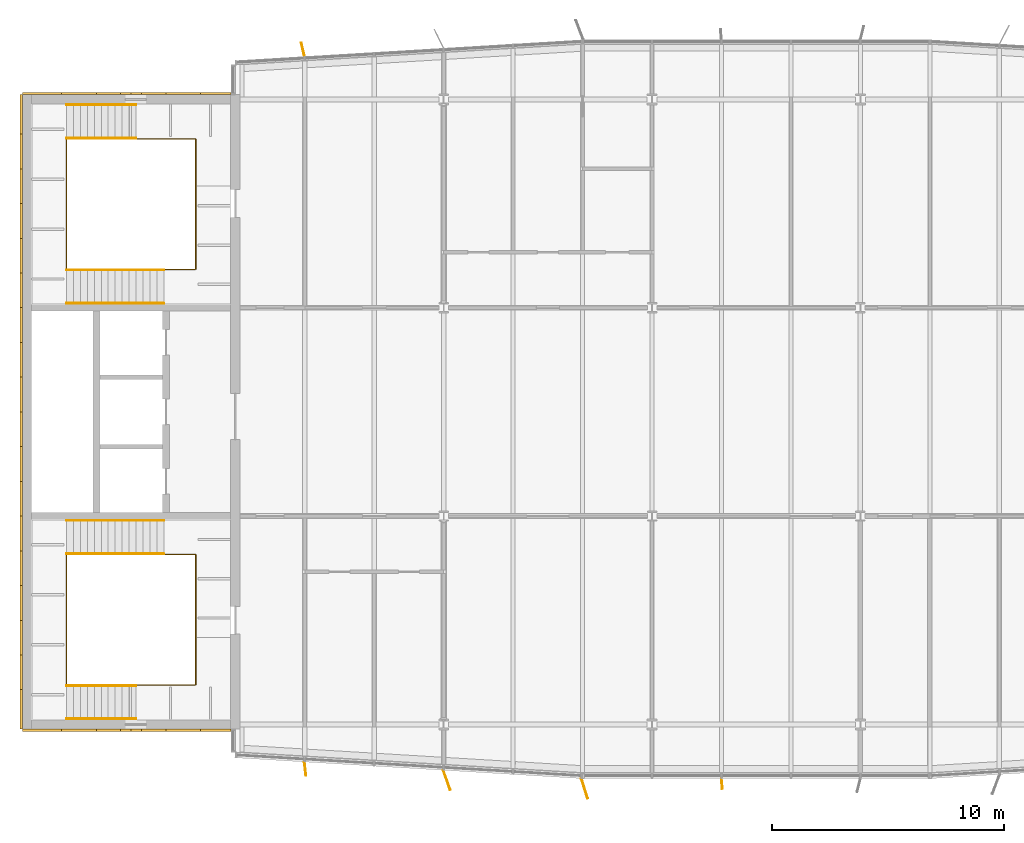
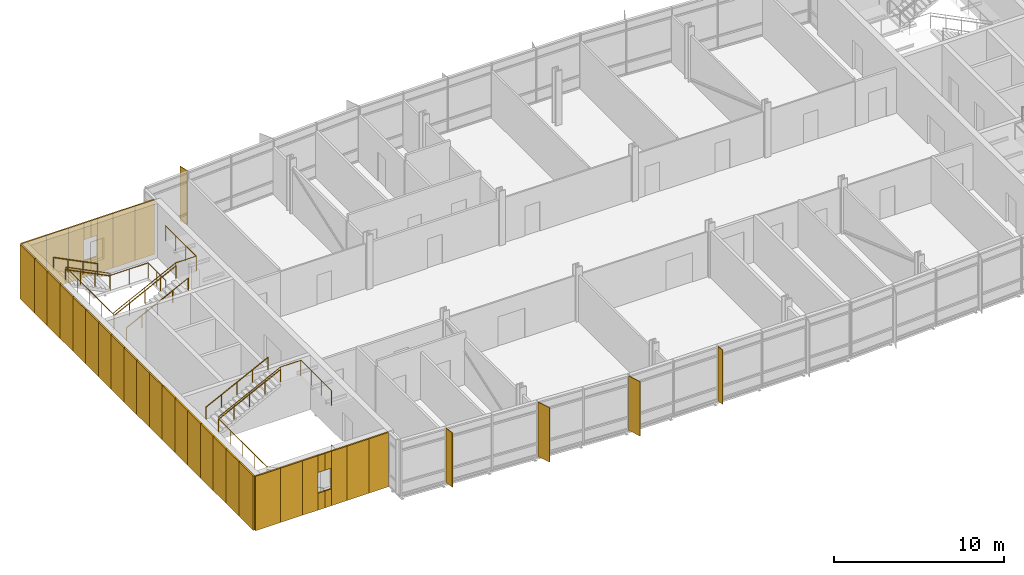
# One storey, part 15 of 17: 38 coverings, 10 railings, 5 shading devices.
"""IFC4 building model written with IfcOpenShell, lengths in metres."""

from ifc_helpers import new_model, si_unit, direction, frame, origin, origin_2d, place, context, subcontext, project, spatial, rectangle, circle, extrude, material, layer, layer_set, type_object, element, save


model = new_model("IFC4")

# Units and contexts
model_context = context("Model", 3, precision=1e-05, world=origin(), true_north=direction((0.0, 1.0)))
body_context = subcontext(model_context, "Body", "Model", "MODEL_VIEW")
ifc_project = project(units=[si_unit("LENGTHUNIT", "METRE"), si_unit("AREAUNIT", "SQUARE_METRE"), si_unit("VOLUMEUNIT", "CUBIC_METRE"), si_unit("PLANEANGLEUNIT", "RADIAN"), si_unit("MASSUNIT", "GRAM", prefix="KILO")], contexts=[model_context])

# Site, building, storey
site_placement = place(None, origin())
site = spatial("IfcSite", under=ifc_project, at=site_placement, CompositionType="ELEMENT")
building_placement = place(site_placement, origin())
building = spatial("IfcBuilding", under=site, at=building_placement, Name="Azimuth Sports and Learning Centre", CompositionType="ELEMENT")
storey_placement = place(building_placement, frame((0.0, 0.0, 40.199951171875)))
storey = spatial("IfcBuildingStorey", under=building, at=storey_placement, Name="L08", CompositionType="ELEMENT", Elevation=40.199951171875)

# Coverings
ifc_material_1 = material(Name="Cladding panel")
ifc_layer_1 = layer(ifc_material_1, 0.10009765625)
ifc_layer_set_1 = layer_set([ifc_layer_1], Name="Cladding panel")
covering_type = type_object("IfcCoveringType", Name="Cladding panel 100", PredefinedType="CLADDING", material=ifc_layer_set_1)
covering_1_placement = place(storey_placement, frame((54.64990234375, 89.75, 0.0), z_axis=(0.0, 0.0, 1.0), x_axis=(1.0, 0.0, 0.0)))
element("IfcCovering", 1, at=covering_1_placement, inside=storey, type_object=covering_type, Name="Cladding panel S-CORE W L08 1", PredefinedType="CLADDING", context=body_context, shape_type="SweptSolid", body=[
    extrude(rectangle(XDim=1.699951171875, YDim=0.10009765625, at=origin_2d()), origin(), (0.0, 0.0, 1.0), 3.89990234375),
])
covering_2_placement = place(storey_placement, frame((56.25, 89.75, 0.0), z_axis=(0.0, 0.0, 1.0), x_axis=(1.0, 0.0, 0.0)))
element("IfcCovering", 2, at=covering_2_placement, inside=storey, type_object=covering_type, Name="Cladding panel S-CORE W L08 2", PredefinedType="CLADDING", context=body_context, shape_type="SweptSolid", body=[
    extrude(rectangle(XDim=1.5, YDim=0.10009765625, at=origin_2d()), origin(), (0.0, 0.0, 1.0), 3.89990234375),
])
covering_3_placement = place(storey_placement, frame((57.52490234375, 89.75, 0.0), z_axis=(0.0, 0.0, 1.0), x_axis=(1.0, 0.0, 0.0)))
element("IfcCovering", 3, at=covering_3_placement, inside=storey, type_object=covering_type, Name="Cladding panel S-CORE W L08 3", PredefinedType="CLADDING", context=body_context, shape_type="SweptSolid", body=[
    extrude(rectangle(XDim=1.050048828125, YDim=0.10009765625, at=origin_2d()), origin(), (0.0, 0.0, 1.0), 3.89990234375),
])
for number, where, z_axis, x_axis, name in (
    (4, (58.27490234375, 89.75, 0.0), (0.0, 0.0, 1.0), (1.0, 0.0, 0.0), "Cladding panel S-CORE W L08 4"),
    (5, (58.27490234375, 89.75, 2.7001953125), (0.0, 0.0, 1.0), (1.0, 0.0, 0.0), "Cladding panel S-CORE W L08 5"),
):
    element("IfcCovering", number, at=place(storey_placement, frame(where, z_axis=z_axis, x_axis=x_axis)), inside=storey, type_object=covering_type, Name=name, PredefinedType="CLADDING", context=body_context, shape_type="SweptSolid", body=[
        extrude(rectangle(XDim=0.449951171875, YDim=0.10009765625, at=origin_2d()), origin(), (0.0, 0.0, 1.0), 1.199951171875),
    ])
covering_4_placement = place(storey_placement, frame((59.47509765625, 89.75, 0.0), z_axis=(0.0, 0.0, 1.0), x_axis=(1.0, 0.0, 0.0)))
element("IfcCovering", 6, at=covering_4_placement, inside=storey, type_object=covering_type, Name="Cladding panel S-CORE W L08 6", PredefinedType="CLADDING", context=body_context, shape_type="SweptSolid", body=[
    extrude(rectangle(XDim=1.050048828125, YDim=0.10009765625, at=origin_2d()), origin(), (0.0, 0.0, 1.0), 3.89990234375),
])
for number, where, z_axis, x_axis, name in (
    (7, (58.72509765625, 89.75, 0.0), (0.0, 0.0, 1.0), (1.0, 0.0, 0.0), "Cladding panel S-CORE W L08 7"),
    (8, (58.72509765625, 89.75, 2.7001953125), (0.0, 0.0, 1.0), (1.0, 0.0, 0.0), "Cladding panel S-CORE W L08 8"),
):
    element("IfcCovering", number, at=place(storey_placement, frame(where, z_axis=z_axis, x_axis=x_axis)), inside=storey, type_object=covering_type, Name=name, PredefinedType="CLADDING", context=body_context, shape_type="SweptSolid", body=[
        extrude(rectangle(XDim=0.449951171875, YDim=0.10009765625, at=origin_2d()), origin(), (0.0, 0.0, 1.0), 1.199951171875),
    ])
covering_5_placement = place(storey_placement, frame((60.75, 89.75, 0.0), z_axis=(0.0, 0.0, 1.0), x_axis=(1.0, 0.0, 0.0)))
element("IfcCovering", 9, at=covering_5_placement, inside=storey, type_object=covering_type, Name="Cladding panel S-CORE W L08 9", PredefinedType="CLADDING", context=body_context, shape_type="SweptSolid", body=[
    extrude(rectangle(XDim=1.5, YDim=0.10009765625, at=origin_2d()), origin(), (0.0, 0.0, 1.0), 3.89990234375),
])
for number, where, z_axis, x_axis, name in (
    (10, (62.159912109375, 89.75, 0.0), (0.0, 0.0, 1.0), (1.0, 0.0, 0.0), "Cladding panel S-CORE W L08 10"),
    (11, (62.159912109375, 117.25, 0.0), (0.0, 0.0, 1.0), (-1.0, 0.0, 0.0), "Cladding panel N-CORE W L08 1"),
):
    element("IfcCovering", number, at=place(storey_placement, frame(where, z_axis=z_axis, x_axis=x_axis)), inside=storey, type_object=covering_type, Name=name, PredefinedType="CLADDING", context=body_context, shape_type="SweptSolid", body=[
        extrude(rectangle(XDim=1.320068359375, YDim=0.10009765625, at=origin_2d()), origin(), (0.0, 0.0, 1.0), 3.89990234375),
    ])
covering_6_placement = place(storey_placement, frame((60.75, 117.25, 0.0), z_axis=(0.0, 0.0, 1.0), x_axis=(-1.0, 0.0, 0.0)))
element("IfcCovering", 12, at=covering_6_placement, inside=storey, type_object=covering_type, Name="Cladding panel N-CORE W L08 2", PredefinedType="CLADDING", context=body_context, shape_type="SweptSolid", body=[
    extrude(rectangle(XDim=1.5, YDim=0.10009765625, at=origin_2d()), origin(), (0.0, 0.0, 1.0), 3.89990234375),
])
covering_7_placement = place(storey_placement, frame((59.47509765625, 117.25, 0.0), z_axis=(0.0, 0.0, 1.0), x_axis=(-1.0, 0.0, 0.0)))
element("IfcCovering", 13, at=covering_7_placement, inside=storey, type_object=covering_type, Name="Cladding panel N-CORE W L08 3", PredefinedType="CLADDING", context=body_context, shape_type="SweptSolid", body=[
    extrude(rectangle(XDim=1.050048828125, YDim=0.10009765625, at=origin_2d()), origin(), (0.0, 0.0, 1.0), 3.89990234375),
])
for number, where, z_axis, x_axis, name in (
    (14, (58.72509765625, 117.25, 0.0), (0.0, 0.0, 1.0), (-1.0, 0.0, 0.0), "Cladding panel N-CORE W L08 4"),
    (15, (58.72509765625, 117.25, 2.7001953125), (0.0, 0.0, 1.0), (-1.0, 0.0, 0.0), "Cladding panel N-CORE W L08 5"),
):
    element("IfcCovering", number, at=place(storey_placement, frame(where, z_axis=z_axis, x_axis=x_axis)), inside=storey, type_object=covering_type, Name=name, PredefinedType="CLADDING", context=body_context, shape_type="SweptSolid", body=[
        extrude(rectangle(XDim=0.449951171875, YDim=0.10009765625, at=origin_2d()), origin(), (0.0, 0.0, 1.0), 1.199951171875),
    ])
covering_8_placement = place(storey_placement, frame((57.52490234375, 117.25, 0.0), z_axis=(0.0, 0.0, 1.0), x_axis=(-1.0, 0.0, 0.0)))
element("IfcCovering", 16, at=covering_8_placement, inside=storey, type_object=covering_type, Name="Cladding panel N-CORE W L08 6", PredefinedType="CLADDING", context=body_context, shape_type="SweptSolid", body=[
    extrude(rectangle(XDim=1.050048828125, YDim=0.10009765625, at=origin_2d()), origin(), (0.0, 0.0, 1.0), 3.89990234375),
])
for number, where, z_axis, x_axis, name in (
    (17, (58.27490234375, 117.25, 0.0), (0.0, 0.0, 1.0), (-1.0, 0.0, 0.0), "Cladding panel N-CORE W L08 7"),
    (18, (58.27490234375, 117.25, 2.7001953125), (0.0, 0.0, 1.0), (-1.0, 0.0, 0.0), "Cladding panel N-CORE W L08 8"),
):
    element("IfcCovering", number, at=place(storey_placement, frame(where, z_axis=z_axis, x_axis=x_axis)), inside=storey, type_object=covering_type, Name=name, PredefinedType="CLADDING", context=body_context, shape_type="SweptSolid", body=[
        extrude(rectangle(XDim=0.449951171875, YDim=0.10009765625, at=origin_2d()), origin(), (0.0, 0.0, 1.0), 1.199951171875),
    ])
covering_9_placement = place(storey_placement, frame((56.25, 117.25, 0.0), z_axis=(0.0, 0.0, 1.0), x_axis=(-1.0, 0.0, 0.0)))
element("IfcCovering", 19, at=covering_9_placement, inside=storey, type_object=covering_type, Name="Cladding panel N-CORE W L08 9", PredefinedType="CLADDING", context=body_context, shape_type="SweptSolid", body=[
    extrude(rectangle(XDim=1.5, YDim=0.10009765625, at=origin_2d()), origin(), (0.0, 0.0, 1.0), 3.89990234375),
])
for number, where, z_axis, x_axis, name in (
    (20, (54.64990234375, 117.25, 0.0), (0.0, 0.0, 1.0), (-1.0, 0.0, 0.0), "Cladding panel N-CORE W L08 10"),
    (21, (53.75, 116.35009765625, 0.0), (0.0, 0.0, 1.0), (0.0, -1.0, 0.0), "Cladding panel W-CORE W L08 1"),
):
    element("IfcCovering", number, at=place(storey_placement, frame(where, z_axis=z_axis, x_axis=x_axis)), inside=storey, type_object=covering_type, Name=name, PredefinedType="CLADDING", context=body_context, shape_type="SweptSolid", body=[
        extrude(rectangle(XDim=1.699951171875, YDim=0.10009765625, at=origin_2d()), origin(), (0.0, 0.0, 1.0), 3.89990234375),
    ])
for number, where, z_axis, x_axis, name in (
    (22, (53.75, 114.75, 0.0), (0.0, 0.0, 1.0), (0.0, -1.0, 0.0), "Cladding panel W-CORE W L08 2"),
    (23, (53.75, 113.25, 0.0), (0.0, 0.0, 1.0), (0.0, -1.0, 0.0), "Cladding panel W-CORE W L08 3"),
    (24, (53.75, 111.75, 0.0), (0.0, 0.0, 1.0), (0.0, -1.0, 0.0), "Cladding panel W-CORE W L08 4"),
    (25, (53.75, 110.25, 0.0), (0.0, 0.0, 1.0), (0.0, -1.0, 0.0), "Cladding panel W-CORE W L08 5"),
    (26, (53.75, 108.75, 0.0), (0.0, 0.0, 1.0), (0.0, -1.0, 0.0), "Cladding panel W-CORE W L08 6"),
    (27, (53.75, 107.25, 0.0), (0.0, 0.0, 1.0), (0.0, -1.0, 0.0), "Cladding panel W-CORE W L08 7"),
    (28, (53.75, 105.75, 0.0), (0.0, 0.0, 1.0), (0.0, -1.0, 0.0), "Cladding panel W-CORE W L08 8"),
    (29, (53.75, 104.25, 0.0), (0.0, 0.0, 1.0), (0.0, -1.0, 0.0), "Cladding panel W-CORE W L08 9"),
    (30, (53.75, 102.75, 0.0), (0.0, 0.0, 1.0), (0.0, -1.0, 0.0), "Cladding panel W-CORE W L08 10"),
    (31, (53.75, 101.25, 0.0), (0.0, 0.0, 1.0), (0.0, -1.0, 0.0), "Cladding panel W-CORE W L08 11"),
    (32, (53.75, 99.75, 0.0), (0.0, 0.0, 1.0), (0.0, -1.0, 0.0), "Cladding panel W-CORE W L08 12"),
    (33, (53.75, 98.25, 0.0), (0.0, 0.0, 1.0), (0.0, -1.0, 0.0), "Cladding panel W-CORE W L08 13"),
    (34, (53.75, 96.75, 0.0), (0.0, 0.0, 1.0), (0.0, -1.0, 0.0), "Cladding panel W-CORE W L08 14"),
    (35, (53.75, 95.25, 0.0), (0.0, 0.0, 1.0), (0.0, -1.0, 0.0), "Cladding panel W-CORE W L08 15"),
    (36, (53.75, 93.75, 0.0), (0.0, 0.0, 1.0), (0.0, -1.0, 0.0), "Cladding panel W-CORE W L08 16"),
    (37, (53.75, 92.25, 0.0), (0.0, 0.0, 1.0), (0.0, -1.0, 0.0), "Cladding panel W-CORE W L08 17"),
):
    element("IfcCovering", number, at=place(storey_placement, frame(where, z_axis=z_axis, x_axis=x_axis)), inside=storey, type_object=covering_type, Name=name, PredefinedType="CLADDING", context=body_context, shape_type="SweptSolid", body=[
        extrude(rectangle(XDim=1.5, YDim=0.10009765625, at=origin_2d()), origin(), (0.0, 0.0, 1.0), 3.89990234375),
    ])
covering_10_placement = place(storey_placement, frame((53.75, 90.64990234375, 0.0), z_axis=(0.0, 0.0, 1.0), x_axis=(0.0, -1.0, 0.0)))
element("IfcCovering", 38, at=covering_10_placement, inside=storey, type_object=covering_type, Name="Cladding panel W-CORE W L08 18", PredefinedType="CLADDING", context=body_context, shape_type="SweptSolid", body=[
    extrude(rectangle(XDim=1.699951171875, YDim=0.10009765625, at=origin_2d()), origin(), (0.0, 0.0, 1.0), 3.89990234375),
])

# Shading devices
ifc_material_2 = material(Name="Aluminium", Category="aluminium")
ifc_layer_2 = layer(ifc_material_2, 0.0400390625)
ifc_layer_set_2 = layer_set([ifc_layer_2], Name="Aluminium")
shading_device_type_1 = type_object("IfcShadingDeviceType", Name="Shading fin 450", PredefinedType="JALOUSIE", material=ifc_layer_set_2)
shading_device_placement = place(storey_placement, frame((84.01953125, 87.435791015625, 0.0), z_axis=(0.0, 0.0, 1.0), x_axis=(0.086979796274, -0.996210075757, 0.0)))
element("IfcShadingDevice", 39, at=shading_device_placement, inside=storey, type_object=shading_device_type_1, Name="Shading fin F08-004", PredefinedType="JALOUSIE", context=body_context, shape_type="SweptSolid", body=[
    extrude(rectangle(XDim=0.449951171875, YDim=0.0400390625, at=origin_2d()), origin(), (0.0, 0.0, 1.0), 3.89990234375),
])
ifc_material_3 = material(Name="Aluminium", Category="aluminium")
ifc_layer_3 = layer(ifc_material_3, 0.0400390625)
ifc_layer_set_3 = layer_set([ifc_layer_3], Name="Aluminium")
shading_device_type_2 = type_object("IfcShadingDeviceType", Name="Shading fin 600", PredefinedType="JALOUSIE", material=ifc_layer_set_3)
for number, where, z_axis, x_axis, name in (
    (40, (66.018798828125, 88.082275390625, 0.0), (0.0, 0.0, 1.0), (0.110221187796, -0.993907083062, 0.0), "Shading fin F08-001"),
    (41, (65.920654296875, 119.15185546875, 0.0), (0.0, 0.0, 1.0), (-0.228270881104, 0.973597660659, 0.0), "Shading fin F08-014"),
):
    element("IfcShadingDevice", number, at=place(storey_placement, frame(where, z_axis=z_axis, x_axis=x_axis)), inside=storey, type_object=shading_device_type_2, Name=name, PredefinedType="JALOUSIE", context=body_context, shape_type="SweptSolid", body=[
        extrude(rectangle(XDim=0.60009765625, YDim=0.0400390625, at=origin_2d()), origin(), (0.0, 0.0, 1.0), 3.89990234375),
    ])
ifc_material_4 = material(Name="Aluminium", Category="aluminium")
ifc_layer_4 = layer(ifc_material_4, 0.0400390625)
ifc_layer_set_4 = layer_set([ifc_layer_4], Name="Aluminium")
shading_device_type_3 = type_object("IfcShadingDeviceType", Name="Shading fin 900", PredefinedType="JALOUSIE", material=ifc_layer_set_4)
for number, where, z_axis, x_axis, name in (
    (42, (72.135009765625, 87.595947265625, 0.0), (0.0, 0.0, 1.0), (0.332025201964, -0.94327051542, 0.0), "Shading fin F08-002"),
    (43, (78.0849609375, 87.23291015625, 0.0), (0.0, 0.0, 1.0), (0.298224547315, -0.954495740891, 0.0), "Shading fin F08-003"),
):
    element("IfcShadingDevice", number, at=place(storey_placement, frame(where, z_axis=z_axis, x_axis=x_axis)), inside=storey, type_object=shading_device_type_3, Name=name, PredefinedType="JALOUSIE", context=body_context, shape_type="SweptSolid", body=[
        extrude(rectangle(XDim=0.89990234375, YDim=0.0400390625, at=origin_2d()), origin(), (0.0, 0.0, 1.0), 3.89990234375),
    ])

# Railings
ifc_material_5 = material(Name="Stainless steel", Category="steel")
railing_type_1 = type_object("IfcRailingType", Name="Stair guard 1100", PredefinedType="GUARDRAIL", material=ifc_material_5)
railing_1_placement = place(storey_placement, frame((61.2900390625, 93.75, 0.0)))
element("IfcRailing", 44, at=railing_1_placement, inside=storey, type_object=railing_type_1, Name="Guard W1 L08 well", PredefinedType="GUARDRAIL", context=body_context, shape_type="SweptSolid", body=[
    extrude(circle(Radius=0.02392578125, at=origin_2d()), frame((0.0, 0.0, 1.076171875), z_axis=(0.0, -1.0, 0.0), x_axis=(1.0, 0.0, 0.0)), (0.0, 0.0, 1.0), 2.0400390625),
    extrude(circle(Radius=0.02392578125, at=origin_2d()), frame((0.0, -2.0400390625, 1.076171875), z_axis=(-1.0, 0.0, 0.0), x_axis=(0.0, -1.0, 0.0)), (0.0, 0.0, 1.0), 2.580078125),
    extrude(circle(Radius=0.02392578125, at=origin_2d()), frame((-2.580078125, -2.0400390625, 1.076171875), z_axis=(0.0, 0.0, 1.0), x_axis=(1.0, 0.0, 0.0)), (0.0, 0.0, 1.0), 0.150146484375),
    extrude(circle(Radius=0.02392578125, at=origin_2d()), frame((-2.580078125, -2.0400390625, 1.22607421875), z_axis=(-0.894427191, 0.0, 0.4472135955), x_axis=(0.0, -1.0, 0.0)), (0.0, 0.0, 1.0), 3.35400390625),
    extrude(circle(Radius=0.02392578125, at=origin_2d()), frame((-5.580078125, -2.0400390625, 2.72607421875), z_axis=(0.0, 1.0, 0.0), x_axis=(-1.0, 0.0, 0.0)), (0.0, 0.0, 1.0), 5.630126953125),
    extrude(circle(Radius=0.02392578125, at=origin_2d()), frame((-5.580078125, 3.590087890625, 2.72607421875), z_axis=(0.0, 0.0, 1.0), x_axis=(1.0, 0.0, 0.0)), (0.0, 0.0, 1.0), 0.14990234375),
    extrude(circle(Radius=0.02392578125, at=origin_2d()), frame((-5.580078125, 3.590087890625, 2.8759765625), z_axis=(0.894416792377, 0.0, 0.447234392142), x_axis=(0.0, 1.0, 0.0)), (0.0, 0.0, 1.0), 4.69580078125),
    extrude(circle(Radius=0.02392578125, at=origin_2d()), frame((-1.380126953125, 3.590087890625, 4.97607421875), z_axis=(1.0, 0.0, 0.0), x_axis=(0.0, 1.0, 0.0)), (0.0, 0.0, 1.0), 1.380126953125),
    extrude(circle(Radius=0.02392578125, at=origin_2d()), frame((0.0, 3.590087890625, 4.97607421875), z_axis=(0.0, -1.0, 0.0), x_axis=(1.0, 0.0, 0.0)), (0.0, 0.0, 1.0), 3.590087890625),
    extrude(circle(Radius=0.01611328125, at=origin_2d()), origin(), (0.0, 0.0, 1.0), 1.052001953125),
    extrude(circle(Radius=0.01611328125, at=origin_2d()), frame((0.0, -1.02001953125, 0.0)), (0.0, 0.0, 1.0), 1.052001953125),
    extrude(circle(Radius=0.01611328125, at=origin_2d()), frame((0.0, -2.0400390625, 0.0)), (0.0, 0.0, 1.0), 1.052001953125),
    extrude(circle(Radius=0.01611328125, at=origin_2d()), frame((-1.2900390625, -2.0400390625, 0.0)), (0.0, 0.0, 1.0), 1.052001953125),
    extrude(circle(Radius=0.01611328125, at=origin_2d()), frame((-2.580078125, -2.0400390625, 0.0)), (0.0, 0.0, 1.0), 1.052001953125),
    extrude(circle(Radius=0.01611328125, at=origin_2d()), frame((-2.580078125, -2.0400390625, 0.150146484375)), (0.0, 0.0, 1.0), 1.052001953125),
    extrude(circle(Radius=0.01611328125, at=origin_2d()), frame((-3.580078125, -2.0400390625, 0.650146484375)), (0.0, 0.0, 1.0), 1.052001953125),
    extrude(circle(Radius=0.01611328125, at=origin_2d()), frame((-4.580078125, -2.0400390625, 1.150146484375)), (0.0, 0.0, 1.0), 1.052001953125),
    extrude(circle(Radius=0.01611328125, at=origin_2d()), frame((-5.580078125, -2.0400390625, 1.650146484375)), (0.0, 0.0, 1.0), 1.052001953125),
    extrude(circle(Radius=0.01611328125, at=origin_2d()), frame((-5.580078125, -0.632568359375, 1.650146484375)), (0.0, 0.0, 1.0), 1.052001953125),
    extrude(circle(Radius=0.01611328125, at=origin_2d()), frame((-5.580078125, 0.77490234375, 1.650146484375)), (0.0, 0.0, 1.0), 1.052001953125),
    extrude(circle(Radius=0.01611328125, at=origin_2d()), frame((-5.580078125, 2.1826171875, 1.650146484375)), (0.0, 0.0, 1.0), 1.052001953125),
    extrude(circle(Radius=0.01611328125, at=origin_2d()), frame((-5.580078125, 3.590087890625, 1.650146484375)), (0.0, 0.0, 1.0), 1.052001953125),
    extrude(circle(Radius=0.01611328125, at=origin_2d()), frame((-5.580078125, 3.590087890625, 1.800048828125)), (0.0, 0.0, 1.0), 1.052001953125),
    extrude(circle(Radius=0.01611328125, at=origin_2d()), frame((-4.530029296875, 3.590087890625, 2.3251953125)), (0.0, 0.0, 1.0), 1.052001953125),
    extrude(circle(Radius=0.01611328125, at=origin_2d()), frame((-3.47998046875, 3.590087890625, 2.85009765625)), (0.0, 0.0, 1.0), 1.052001953125),
    extrude(circle(Radius=0.01611328125, at=origin_2d()), frame((-2.43017578125, 3.590087890625, 3.375)), (0.0, 0.0, 1.0), 1.052001953125),
    extrude(circle(Radius=0.01611328125, at=origin_2d()), frame((-1.380126953125, 3.590087890625, 3.900146484375)), (0.0, 0.0, 1.0), 1.052001953125),
    extrude(circle(Radius=0.01611328125, at=origin_2d()), frame((0.0, 3.590087890625, 3.900146484375)), (0.0, 0.0, 1.0), 1.052001953125),
    extrude(circle(Radius=0.01611328125, at=origin_2d()), frame((0.0, 2.393310546875, 3.900146484375)), (0.0, 0.0, 1.0), 1.052001953125),
    extrude(circle(Radius=0.01611328125, at=origin_2d()), frame((0.0, 1.19677734375, 3.900146484375)), (0.0, 0.0, 1.0), 1.052001953125),
    extrude(circle(Radius=0.01611328125, at=origin_2d()), frame((0.0, 0.0, 3.900146484375)), (0.0, 0.0, 1.0), 1.052001953125),
])
railing_2_placement = place(storey_placement, frame((61.2900390625, 113.25, 0.0)))
element("IfcRailing", 45, at=railing_2_placement, inside=storey, type_object=railing_type_1, Name="Guard W2 L08 well", PredefinedType="GUARDRAIL", context=body_context, shape_type="SweptSolid", body=[
    extrude(circle(Radius=0.02392578125, at=origin_2d()), frame((0.0, 0.0, 1.076171875), z_axis=(0.0, 1.0, 0.0), x_axis=(-1.0, 0.0, 0.0)), (0.0, 0.0, 1.0), 2.0400390625),
    extrude(circle(Radius=0.02392578125, at=origin_2d()), frame((0.0, 2.0400390625, 1.076171875), z_axis=(-1.0, 0.0, 0.0), x_axis=(0.0, -1.0, 0.0)), (0.0, 0.0, 1.0), 2.580078125),
    extrude(circle(Radius=0.02392578125, at=origin_2d()), frame((-2.580078125, 2.0400390625, 1.076171875), z_axis=(0.0, 0.0, 1.0), x_axis=(1.0, 0.0, 0.0)), (0.0, 0.0, 1.0), 0.150146484375),
    extrude(circle(Radius=0.02392578125, at=origin_2d()), frame((-2.580078125, 2.0400390625, 1.22607421875), z_axis=(-0.894427191, 0.0, 0.4472135955), x_axis=(0.0, -1.0, 0.0)), (0.0, 0.0, 1.0), 3.35400390625),
    extrude(circle(Radius=0.02392578125, at=origin_2d()), frame((-5.580078125, 2.0400390625, 2.72607421875), z_axis=(0.0, -1.0, 0.0), x_axis=(1.0, 0.0, 0.0)), (0.0, 0.0, 1.0), 5.630126953125),
    extrude(circle(Radius=0.02392578125, at=origin_2d()), frame((-5.580078125, -3.590087890625, 2.72607421875), z_axis=(0.0, 0.0, 1.0), x_axis=(1.0, 0.0, 0.0)), (0.0, 0.0, 1.0), 0.14990234375),
    extrude(circle(Radius=0.02392578125, at=origin_2d()), frame((-5.580078125, -3.590087890625, 2.8759765625), z_axis=(0.894416792377, 0.0, 0.447234392142), x_axis=(0.0, 1.0, 0.0)), (0.0, 0.0, 1.0), 4.69580078125),
    extrude(circle(Radius=0.02392578125, at=origin_2d()), frame((-1.380126953125, -3.590087890625, 4.97607421875), z_axis=(1.0, 0.0, 0.0), x_axis=(0.0, 1.0, 0.0)), (0.0, 0.0, 1.0), 1.380126953125),
    extrude(circle(Radius=0.02392578125, at=origin_2d()), frame((0.0, -3.590087890625, 4.97607421875), z_axis=(0.0, 1.0, 0.0), x_axis=(-1.0, 0.0, 0.0)), (0.0, 0.0, 1.0), 3.590087890625),
    extrude(circle(Radius=0.01611328125, at=origin_2d()), origin(), (0.0, 0.0, 1.0), 1.052001953125),
    extrude(circle(Radius=0.01611328125, at=origin_2d()), frame((0.0, 1.02001953125, 0.0)), (0.0, 0.0, 1.0), 1.052001953125),
    extrude(circle(Radius=0.01611328125, at=origin_2d()), frame((0.0, 2.0400390625, 0.0)), (0.0, 0.0, 1.0), 1.052001953125),
    extrude(circle(Radius=0.01611328125, at=origin_2d()), frame((-1.2900390625, 2.0400390625, 0.0)), (0.0, 0.0, 1.0), 1.052001953125),
    extrude(circle(Radius=0.01611328125, at=origin_2d()), frame((-2.580078125, 2.0400390625, 0.0)), (0.0, 0.0, 1.0), 1.052001953125),
    extrude(circle(Radius=0.01611328125, at=origin_2d()), frame((-2.580078125, 2.0400390625, 0.150146484375)), (0.0, 0.0, 1.0), 1.052001953125),
    extrude(circle(Radius=0.01611328125, at=origin_2d()), frame((-3.580078125, 2.0400390625, 0.650146484375)), (0.0, 0.0, 1.0), 1.052001953125),
    extrude(circle(Radius=0.01611328125, at=origin_2d()), frame((-4.580078125, 2.0400390625, 1.150146484375)), (0.0, 0.0, 1.0), 1.052001953125),
    extrude(circle(Radius=0.01611328125, at=origin_2d()), frame((-5.580078125, 2.0400390625, 1.650146484375)), (0.0, 0.0, 1.0), 1.052001953125),
    extrude(circle(Radius=0.01611328125, at=origin_2d()), frame((-5.580078125, 0.632568359375, 1.650146484375)), (0.0, 0.0, 1.0), 1.052001953125),
    extrude(circle(Radius=0.01611328125, at=origin_2d()), frame((-5.580078125, -0.77490234375, 1.650146484375)), (0.0, 0.0, 1.0), 1.052001953125),
    extrude(circle(Radius=0.01611328125, at=origin_2d()), frame((-5.580078125, -2.1826171875, 1.650146484375)), (0.0, 0.0, 1.0), 1.052001953125),
    extrude(circle(Radius=0.01611328125, at=origin_2d()), frame((-5.580078125, -3.590087890625, 1.650146484375)), (0.0, 0.0, 1.0), 1.052001953125),
    extrude(circle(Radius=0.01611328125, at=origin_2d()), frame((-5.580078125, -3.590087890625, 1.800048828125)), (0.0, 0.0, 1.0), 1.052001953125),
    extrude(circle(Radius=0.01611328125, at=origin_2d()), frame((-4.530029296875, -3.590087890625, 2.3251953125)), (0.0, 0.0, 1.0), 1.052001953125),
    extrude(circle(Radius=0.01611328125, at=origin_2d()), frame((-3.47998046875, -3.590087890625, 2.85009765625)), (0.0, 0.0, 1.0), 1.052001953125),
    extrude(circle(Radius=0.01611328125, at=origin_2d()), frame((-2.43017578125, -3.590087890625, 3.375)), (0.0, 0.0, 1.0), 1.052001953125),
    extrude(circle(Radius=0.01611328125, at=origin_2d()), frame((-1.380126953125, -3.590087890625, 3.900146484375)), (0.0, 0.0, 1.0), 1.052001953125),
    extrude(circle(Radius=0.01611328125, at=origin_2d()), frame((0.0, -3.590087890625, 3.900146484375)), (0.0, 0.0, 1.0), 1.052001953125),
    extrude(circle(Radius=0.01611328125, at=origin_2d()), frame((0.0, -2.393310546875, 3.900146484375)), (0.0, 0.0, 1.0), 1.052001953125),
    extrude(circle(Radius=0.01611328125, at=origin_2d()), frame((0.0, -1.19677734375, 3.900146484375)), (0.0, 0.0, 1.0), 1.052001953125),
    extrude(circle(Radius=0.01611328125, at=origin_2d()), frame((0.0, 0.0, 3.900146484375)), (0.0, 0.0, 1.0), 1.052001953125),
])
ifc_material_6 = material(Name="Stainless steel", Category="steel")
railing_type_2 = type_object("IfcRailingType", Name="Stair handrail 42", PredefinedType="HANDRAIL", material=ifc_material_6)
for number, where, name in (
    (46, (58.7099609375, 91.679931640625, 0.150146484375), "Handrail W1 L08 flight 1 inner"),
    (47, (58.7099609375, 90.239990234375, 0.150146484375), "Handrail W1 L08 flight 1 outer"),
):
    element("IfcRailing", number, at=place(storey_placement, frame(where)), inside=storey, type_object=railing_type_2, Name=name, PredefinedType="HANDRAIL", context=body_context, shape_type="SweptSolid", body=[
        extrude(circle(Radius=0.02099609375, at=origin_2d()), frame((0.0, 0.0, 0.87890625), z_axis=(-0.894427191, 0.0, 0.4472135955), x_axis=(0.0, -1.0, 0.0)), (0.0, 0.0, 1.0), 3.35400390625),
        extrude(circle(Radius=0.01611328125, at=origin_2d()), origin(), (0.0, 0.0, 1.0), 0.85791015625),
        extrude(circle(Radius=0.01611328125, at=origin_2d()), frame((-1.0, 0.0, 0.5)), (0.0, 0.0, 1.0), 0.85791015625),
        extrude(circle(Radius=0.01611328125, at=origin_2d()), frame((-2.0, 0.0, 1.0)), (0.0, 0.0, 1.0), 0.85791015625),
        extrude(circle(Radius=0.01611328125, at=origin_2d()), frame((-3.0, 0.0, 1.5)), (0.0, 0.0, 1.0), 0.85791015625),
    ])
for number, where, name in (
    (48, (55.7099609375, 97.3701171875, 1.800048828125), "Handrail W1 L08 flight 2 inner"),
    (49, (55.7099609375, 98.81005859375, 1.800048828125), "Handrail W1 L08 flight 2 outer"),
):
    element("IfcRailing", number, at=place(storey_placement, frame(where)), inside=storey, type_object=railing_type_2, Name=name, PredefinedType="HANDRAIL", context=body_context, shape_type="SweptSolid", body=[
        extrude(circle(Radius=0.02099609375, at=origin_2d()), frame((0.0, 0.0, 0.87890625), z_axis=(0.894416792377, 0.0, 0.447234392142), x_axis=(0.0, 1.0, 0.0)), (0.0, 0.0, 1.0), 4.69580078125),
        extrude(circle(Radius=0.01611328125, at=origin_2d()), origin(), (0.0, 0.0, 1.0), 0.85791015625),
        extrude(circle(Radius=0.01611328125, at=origin_2d()), frame((1.050048828125, 0.0, 0.52490234375)), (0.0, 0.0, 1.0), 0.85791015625),
        extrude(circle(Radius=0.01611328125, at=origin_2d()), frame((2.10009765625, 0.0, 1.050048828125)), (0.0, 0.0, 1.0), 0.85791015625),
        extrude(circle(Radius=0.01611328125, at=origin_2d()), frame((3.14990234375, 0.0, 1.5751953125)), (0.0, 0.0, 1.0), 0.85791015625),
        extrude(circle(Radius=0.01611328125, at=origin_2d()), frame((4.199951171875, 0.0, 2.10009765625)), (0.0, 0.0, 1.0), 0.85791015625),
    ])
for number, where, name in (
    (50, (58.7099609375, 115.320068359375, 0.150146484375), "Handrail W2 L08 flight 1 inner"),
    (51, (58.7099609375, 116.760009765625, 0.150146484375), "Handrail W2 L08 flight 1 outer"),
):
    element("IfcRailing", number, at=place(storey_placement, frame(where)), inside=storey, type_object=railing_type_2, Name=name, PredefinedType="HANDRAIL", context=body_context, shape_type="SweptSolid", body=[
        extrude(circle(Radius=0.02099609375, at=origin_2d()), frame((0.0, 0.0, 0.87890625), z_axis=(-0.894427191, 0.0, 0.4472135955), x_axis=(0.0, -1.0, 0.0)), (0.0, 0.0, 1.0), 3.35400390625),
        extrude(circle(Radius=0.01611328125, at=origin_2d()), origin(), (0.0, 0.0, 1.0), 0.85791015625),
        extrude(circle(Radius=0.01611328125, at=origin_2d()), frame((-1.0, 0.0, 0.5)), (0.0, 0.0, 1.0), 0.85791015625),
        extrude(circle(Radius=0.01611328125, at=origin_2d()), frame((-2.0, 0.0, 1.0)), (0.0, 0.0, 1.0), 0.85791015625),
        extrude(circle(Radius=0.01611328125, at=origin_2d()), frame((-3.0, 0.0, 1.5)), (0.0, 0.0, 1.0), 0.85791015625),
    ])
for number, where, name in (
    (52, (55.7099609375, 109.6298828125, 1.800048828125), "Handrail W2 L08 flight 2 inner"),
    (53, (55.7099609375, 108.18994140625, 1.800048828125), "Handrail W2 L08 flight 2 outer"),
):
    element("IfcRailing", number, at=place(storey_placement, frame(where)), inside=storey, type_object=railing_type_2, Name=name, PredefinedType="HANDRAIL", context=body_context, shape_type="SweptSolid", body=[
        extrude(circle(Radius=0.02099609375, at=origin_2d()), frame((0.0, 0.0, 0.87890625), z_axis=(0.894416792377, 0.0, 0.447234392142), x_axis=(0.0, 1.0, 0.0)), (0.0, 0.0, 1.0), 4.69580078125),
        extrude(circle(Radius=0.01611328125, at=origin_2d()), origin(), (0.0, 0.0, 1.0), 0.85791015625),
        extrude(circle(Radius=0.01611328125, at=origin_2d()), frame((1.050048828125, 0.0, 0.52490234375)), (0.0, 0.0, 1.0), 0.85791015625),
        extrude(circle(Radius=0.01611328125, at=origin_2d()), frame((2.10009765625, 0.0, 1.050048828125)), (0.0, 0.0, 1.0), 0.85791015625),
        extrude(circle(Radius=0.01611328125, at=origin_2d()), frame((3.14990234375, 0.0, 1.5751953125)), (0.0, 0.0, 1.0), 0.85791015625),
        extrude(circle(Radius=0.01611328125, at=origin_2d()), frame((4.199951171875, 0.0, 2.10009765625)), (0.0, 0.0, 1.0), 0.85791015625),
    ])

save(model, "model.ifc")
